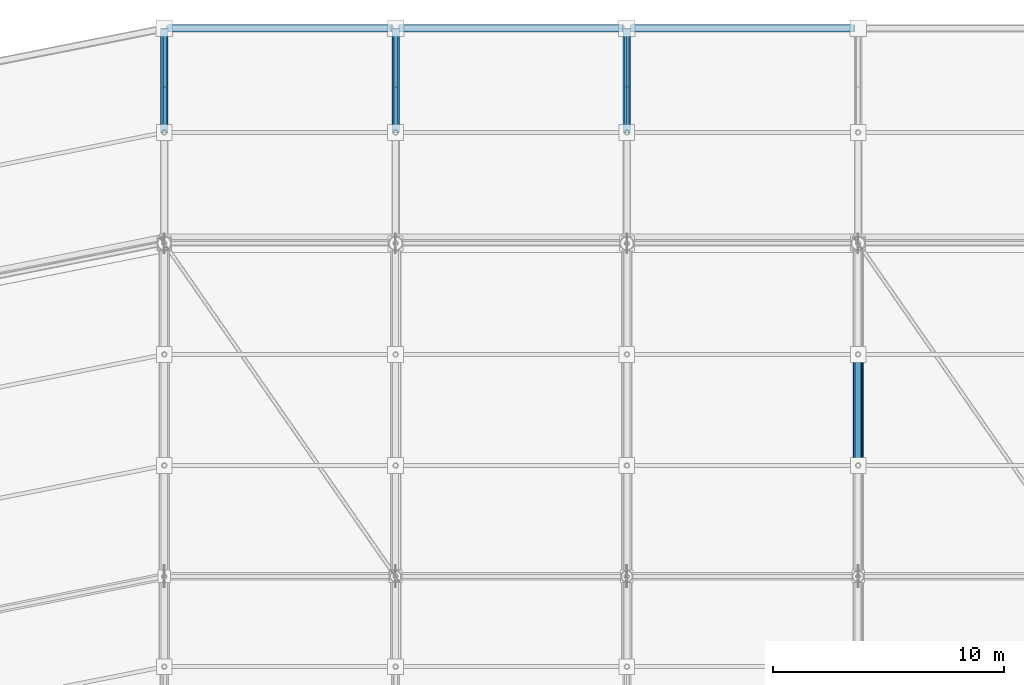
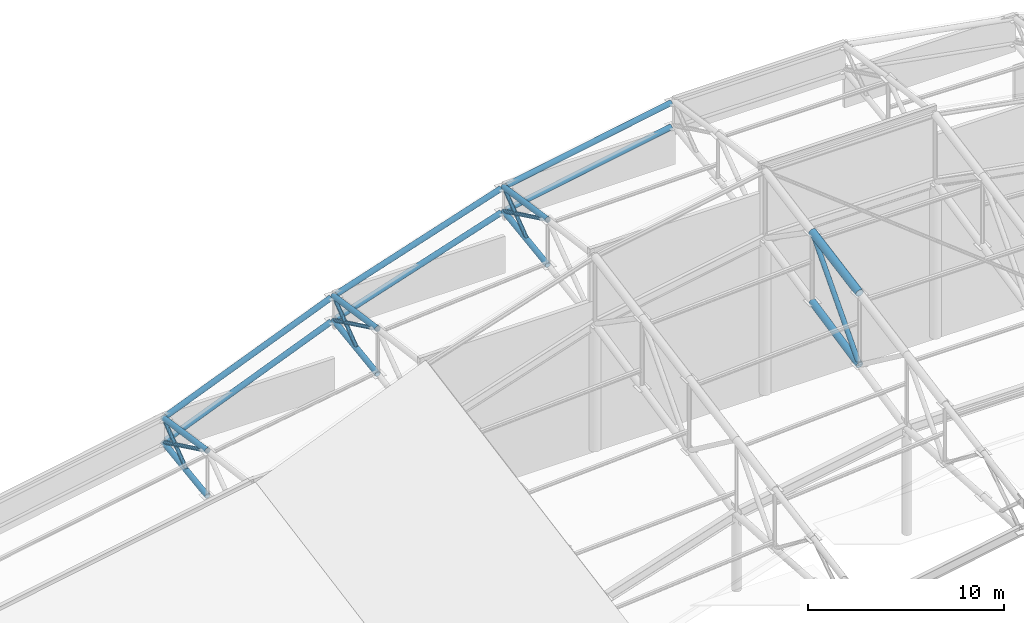
# One storey, part 93 of 146: 21 members.
"""IFC4 building model written with IfcOpenShell, lengths in metres."""

from ifc_helpers import new_model, si_unit, direction, frame, origin, origin_2d, place, context, subcontext, project, spatial, hollow_circle, extrude, material, material_profile, profile_set, type_object, element, save


model = new_model("IFC4")

# Units and contexts
model_context = context("Model", 3, precision=1e-05, world=origin(), true_north=direction((0.0, 1.0)))
body_context = subcontext(model_context, "Body", "Model", "MODEL_VIEW")
ifc_project = project(units=[si_unit("LENGTHUNIT", "METRE"), si_unit("AREAUNIT", "SQUARE_METRE"), si_unit("VOLUMEUNIT", "CUBIC_METRE"), si_unit("PLANEANGLEUNIT", "RADIAN"), si_unit("MASSUNIT", "GRAM", prefix="KILO")], contexts=[model_context])

# Site, building, storey
site_placement = place(None, origin())
site = spatial("IfcSite", under=ifc_project, at=site_placement, CompositionType="ELEMENT")
building_placement = place(site_placement, origin())
building = spatial("IfcBuilding", under=site, at=building_placement, Name="Candeia Ridge Stadium", CompositionType="ELEMENT")
storey_placement = place(building_placement, frame((0.0, 0.0, 31.800048828125)))
storey = spatial("IfcBuildingStorey", under=building, at=storey_placement, Name="RF", CompositionType="ELEMENT", Elevation=31.800048828125)

# Members
ifc_material = material(Name="Steel ASTM A572 Grade 50", Category="steel")
ifc_material_profile_1 = material_profile(ifc_material, hollow_circle(Radius=0.161865234375, WallThickness=0.012451171875, at=origin_2d()), Name="CHS323x12", Category="steel")
ifc_profile_set_1 = profile_set([ifc_material_profile_1], Name="Steel ASTM A572 Grade 50")
member_type_1 = type_object("IfcMemberType", Name="Roof Truss Eaves Chord CHS323x12", PredefinedType="CHORD", material=ifc_profile_set_1)
for number, where, z_axis, x_axis, name in (
    (1, (100.842529296875, 156.300048828125, 12.416748046875), (-0.983921062478, 0.0, -0.17860387121), (0.0, -1.0, 0.0), "Saddle roof outer eaves top ring chord bay 05"),
    (2, (100.842529296875, 156.300048828125, 10.916748046875), (-0.983921062478, 0.0, -0.17860387121), (0.0, -1.0, 0.0), "Saddle roof outer eaves bottom ring chord bay 05"),
):
    element("IfcMember", number, at=place(storey_placement, frame(where, z_axis=z_axis, x_axis=x_axis)), inside=storey, type_object=member_type_1, Name=name, PredefinedType="CHORD", context=body_context, shape_type="SweptSolid", body=[
        extrude(hollow_circle(Radius=0.161865234375, WallThickness=0.012451171875, at=origin_2d()), origin(), (0.0, 0.0, 1.0), 9.84326171875),
    ])
member_1_placement = place(storey_placement, frame((91.0, 151.800048828125, 11.3076171875), z_axis=(0.0, 0.988855931513, -0.148875608179), x_axis=(-1.0, 0.0, 0.0)))
element("IfcMember", 3, at=member_1_placement, inside=storey, type_object=member_type_1, Name="Roof cantilever truss RT-06 top chord 8", PredefinedType="CHORD", context=body_context, shape_type="SweptSolid", body=[
    extrude(hollow_circle(Radius=0.161865234375, WallThickness=0.012451171875, at=origin_2d()), origin(), (0.0, 0.0, 1.0), 4.55078125),
])
member_2_placement = place(storey_placement, frame((91.0, 151.800048828125, 8.5009765625), z_axis=(0.0, 0.990367404155, 0.138464453153), x_axis=(-1.0, 0.0, 0.0)))
element("IfcMember", 4, at=member_2_placement, inside=storey, type_object=member_type_1, Name="Roof cantilever truss RT-06 bottom chord 8", PredefinedType="CHORD", context=body_context, shape_type="SweptSolid", body=[
    extrude(hollow_circle(Radius=0.161865234375, WallThickness=0.012451171875, at=origin_2d()), origin(), (0.0, 0.0, 1.0), 4.543701171875),
])
for number, where, z_axis, x_axis, name in (
    (5, (90.847900390625, 156.300048828125, 10.580322265625), (-0.950455896445, 0.0, -0.31085943594), (0.0, -1.0, 0.0), "Saddle roof outer eaves top ring chord bay 06"),
    (6, (90.847900390625, 156.300048828125, 9.080322265625), (-0.950455896445, 0.0, -0.31085943594), (0.0, -1.0, 0.0), "Saddle roof outer eaves bottom ring chord bay 06"),
):
    element("IfcMember", number, at=place(storey_placement, frame(where, z_axis=z_axis, x_axis=x_axis)), inside=storey, type_object=member_type_1, Name=name, PredefinedType="CHORD", context=body_context, shape_type="SweptSolid", body=[
        extrude(hollow_circle(Radius=0.161865234375, WallThickness=0.012451171875, at=origin_2d()), origin(), (0.0, 0.0, 1.0), 10.201171875),
    ])
member_3_placement = place(storey_placement, frame((81.0, 151.800048828125, 8.036865234375), z_axis=(0.0, 0.988855931513, -0.148875608179), x_axis=(-1.0, 0.0, 0.0)))
element("IfcMember", 7, at=member_3_placement, inside=storey, type_object=member_type_1, Name="Roof cantilever truss RT-07 top chord 8", PredefinedType="CHORD", context=body_context, shape_type="SweptSolid", body=[
    extrude(hollow_circle(Radius=0.161865234375, WallThickness=0.012451171875, at=origin_2d()), origin(), (0.0, 0.0, 1.0), 4.55078125),
])
member_4_placement = place(storey_placement, frame((81.0, 151.800048828125, 5.23046875), z_axis=(0.0, 0.990374770959, 0.138411751844), x_axis=(-1.0, 0.0, 0.0)))
element("IfcMember", 8, at=member_4_placement, inside=storey, type_object=member_type_1, Name="Roof cantilever truss RT-07 bottom chord 8", PredefinedType="CHORD", context=body_context, shape_type="SweptSolid", body=[
    extrude(hollow_circle(Radius=0.161865234375, WallThickness=0.012451171875, at=origin_2d()), origin(), (0.0, 0.0, 1.0), 4.543701171875),
])
for number, where, z_axis, x_axis, name in (
    (9, (80.851806640625, 156.300048828125, 7.299072265625), (-0.925944259539, 0.0, -0.377660202068), (0.0, -1.0, 0.0), "Saddle roof outer eaves top ring chord bay 07"),
    (10, (80.851806640625, 156.300048828125, 5.799072265625), (-0.925944259539, 0.0, -0.377660202068), (0.0, -1.0, 0.0), "Saddle roof outer eaves bottom ring chord bay 07"),
):
    element("IfcMember", number, at=place(storey_placement, frame(where, z_axis=z_axis, x_axis=x_axis)), inside=storey, type_object=member_type_1, Name=name, PredefinedType="CHORD", context=body_context, shape_type="SweptSolid", body=[
        extrude(hollow_circle(Radius=0.161865234375, WallThickness=0.012451171875, at=origin_2d()), origin(), (0.0, 0.0, 1.0), 10.479736328125),
    ])
member_5_placement = place(storey_placement, frame((71.0, 151.800048828125, 3.958251953125), z_axis=(0.0, 0.988863828185, -0.148823147753), x_axis=(-1.0, 0.0, 0.0)))
element("IfcMember", 11, at=member_5_placement, inside=storey, type_object=member_type_1, Name="Roof cantilever truss RT-08 top chord 8", PredefinedType="CHORD", context=body_context, shape_type="SweptSolid", body=[
    extrude(hollow_circle(Radius=0.161865234375, WallThickness=0.012451171875, at=origin_2d()), origin(), (0.0, 0.0, 1.0), 4.55078125),
])
member_6_placement = place(storey_placement, frame((71.0, 151.800048828125, 1.15185546875), z_axis=(0.0, 0.990367404155, 0.138464453153), x_axis=(-1.0, 0.0, 0.0)))
element("IfcMember", 12, at=member_6_placement, inside=storey, type_object=member_type_1, Name="Roof cantilever truss RT-08 bottom chord 8", PredefinedType="CHORD", context=body_context, shape_type="SweptSolid", body=[
    extrude(hollow_circle(Radius=0.161865234375, WallThickness=0.012451171875, at=origin_2d()), origin(), (0.0, 0.0, 1.0), 4.543701171875),
])
ifc_material_profile_2 = material_profile(ifc_material, hollow_circle(Radius=0.136474609375, WallThickness=0.010009765625, at=origin_2d()), Name="CHS273x10", Category="steel")
ifc_profile_set_2 = profile_set([ifc_material_profile_2], Name="Steel ASTM A572 Grade 50")
member_type_2 = type_object("IfcMemberType", Name="Roof Truss Heavy Web Brace CHS273x10", PredefinedType="BRACE", material=ifc_profile_set_2)
member_7_placement = place(storey_placement, frame((101.0, 137.39990234375, 7.521484375), z_axis=(0.0, 0.667487252066, 0.744621224737), x_axis=(-1.0, 0.0, 0.0)))
element("IfcMember", 13, at=member_7_placement, inside=storey, type_object=member_type_2, Name="Roof cantilever truss RT-05 diagonal web 5", PredefinedType="BRACE", context=body_context, shape_type="SweptSolid", body=[
    extrude(hollow_circle(Radius=0.136474609375, WallThickness=0.010009765625, at=origin_2d()), origin(), (0.0, 0.0, 1.0), 7.191162109375),
])
ifc_material_profile_3 = material_profile(ifc_material, hollow_circle(Radius=0.109619140625, WallThickness=0.010009765625, at=origin_2d()), Name="CHS219x10", Category="steel")
ifc_profile_set_3 = profile_set([ifc_material_profile_3], Name="Steel ASTM A572 Grade 50")
member_type_3 = type_object("IfcMemberType", Name="Roof Truss Inner Web Brace CHS219x10", PredefinedType="BRACE", material=ifc_profile_set_3)
member_8_placement = place(storey_placement, frame((91.0, 151.800048828125, 11.3076171875), z_axis=(0.0, 0.900153692386, -0.435572416579), x_axis=(-1.0, 0.0, 0.0)))
element("IfcMember", 14, at=member_8_placement, inside=storey, type_object=member_type_3, Name="Roof cantilever truss RT-06 diagonal web 8", PredefinedType="BRACE", context=body_context, shape_type="SweptSolid", body=[
    extrude(hollow_circle(Radius=0.109619140625, WallThickness=0.010009765625, at=origin_2d()), origin(), (0.0, 0.0, 1.0), 4.999267578125),
])
member_9_placement = place(storey_placement, frame((91.0, 153.824951171875, 8.7841796875), z_axis=(0.0, 0.80161013398, 0.597847131883), x_axis=(-1.0, 0.0, 0.0)))
element("IfcMember", 15, at=member_9_placement, inside=storey, type_object=member_type_3, Name="Roof cantilever truss RT-06 vertical post 8", PredefinedType="BRACE", context=body_context, shape_type="SweptSolid", body=[
    extrude(hollow_circle(Radius=0.109619140625, WallThickness=0.010009765625, at=origin_2d()), origin(), (0.0, 0.0, 1.0), 3.087646484375),
])
member_10_placement = place(storey_placement, frame((81.0, 151.800048828125, 8.036865234375), z_axis=(0.0, 0.900153692386, -0.435572416579), x_axis=(-1.0, 0.0, 0.0)))
element("IfcMember", 16, at=member_10_placement, inside=storey, type_object=member_type_3, Name="Roof cantilever truss RT-07 diagonal web 8", PredefinedType="BRACE", context=body_context, shape_type="SweptSolid", body=[
    extrude(hollow_circle(Radius=0.109619140625, WallThickness=0.010009765625, at=origin_2d()), origin(), (0.0, 0.0, 1.0), 4.999267578125),
])
member_11_placement = place(storey_placement, frame((81.0, 153.824951171875, 5.513427734375), z_axis=(0.0, 0.80161013398, 0.597847131883), x_axis=(-1.0, 0.0, 0.0)))
element("IfcMember", 17, at=member_11_placement, inside=storey, type_object=member_type_3, Name="Roof cantilever truss RT-07 vertical post 8", PredefinedType="BRACE", context=body_context, shape_type="SweptSolid", body=[
    extrude(hollow_circle(Radius=0.109619140625, WallThickness=0.010009765625, at=origin_2d()), origin(), (0.0, 0.0, 1.0), 3.087646484375),
])
member_12_placement = place(storey_placement, frame((71.0, 151.800048828125, 3.958251953125), z_axis=(0.0, 0.900172839827, -0.43553284427), x_axis=(-1.0, 0.0, 0.0)))
element("IfcMember", 18, at=member_12_placement, inside=storey, type_object=member_type_3, Name="Roof cantilever truss RT-08 diagonal web 8", PredefinedType="BRACE", context=body_context, shape_type="SweptSolid", body=[
    extrude(hollow_circle(Radius=0.109619140625, WallThickness=0.010009765625, at=origin_2d()), origin(), (0.0, 0.0, 1.0), 4.9990234375),
])
member_13_placement = place(storey_placement, frame((71.0, 153.824951171875, 1.43505859375), z_axis=(0.0, 0.80161013398, 0.597847131883), x_axis=(-1.0, 0.0, 0.0)))
element("IfcMember", 19, at=member_13_placement, inside=storey, type_object=member_type_3, Name="Roof cantilever truss RT-08 vertical post 8", PredefinedType="BRACE", context=body_context, shape_type="SweptSolid", body=[
    extrude(hollow_circle(Radius=0.109619140625, WallThickness=0.010009765625, at=origin_2d()), origin(), (0.0, 0.0, 1.0), 3.087646484375),
])
ifc_material_profile_4 = material_profile(ifc_material, hollow_circle(Radius=0.228515625, WallThickness=0.02001953125, at=origin_2d()), Name="CHS457x20", Category="steel")
ifc_profile_set_4 = profile_set([ifc_material_profile_4], Name="Steel ASTM A572 Grade 50")
member_type_4 = type_object("IfcMemberType", Name="Roof Truss Main Chord CHS457x20", PredefinedType="CHORD", material=ifc_profile_set_4)
member_14_placement = place(storey_placement, frame((101.0, 137.39990234375, 11.98828125), z_axis=(0.0, 0.983317142098, 0.181899417416), x_axis=(-1.0, 0.0, 0.0)))
element("IfcMember", 20, at=member_14_placement, inside=storey, type_object=member_type_4, Name="Roof cantilever truss RT-05 top chord 5", PredefinedType="CHORD", context=body_context, shape_type="SweptSolid", body=[
    extrude(hollow_circle(Radius=0.228515625, WallThickness=0.02001953125, at=origin_2d()), origin(), (0.0, 0.0, 1.0), 4.881591796875),
])
ifc_material_profile_5 = material_profile(ifc_material, hollow_circle(Radius=0.202880859375, WallThickness=0.01611328125, at=origin_2d()), Name="CHS406x16", Category="steel")
ifc_profile_set_5 = profile_set([ifc_material_profile_5], Name="Steel ASTM A572 Grade 50")
member_type_5 = type_object("IfcMemberType", Name="Roof Truss Outer Chord CHS406x16", PredefinedType="CHORD", material=ifc_profile_set_5)
member_15_placement = place(storey_placement, frame((101.0, 137.39990234375, 7.521484375), z_axis=(0.0, 0.978097741011, 0.208146124225), x_axis=(-1.0, 0.0, 0.0)))
element("IfcMember", 21, at=member_15_placement, inside=storey, type_object=member_type_5, Name="Roof cantilever truss RT-05 bottom chord 5", PredefinedType="CHORD", context=body_context, shape_type="SweptSolid", body=[
    extrude(hollow_circle(Radius=0.202880859375, WallThickness=0.01611328125, at=origin_2d()), origin(), (0.0, 0.0, 1.0), 4.907470703125),
])

save(model, "model.ifc")
